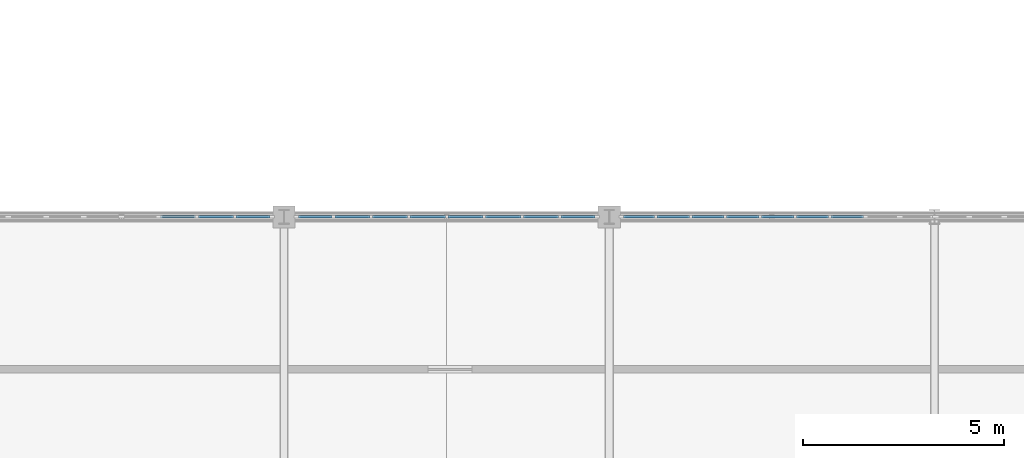
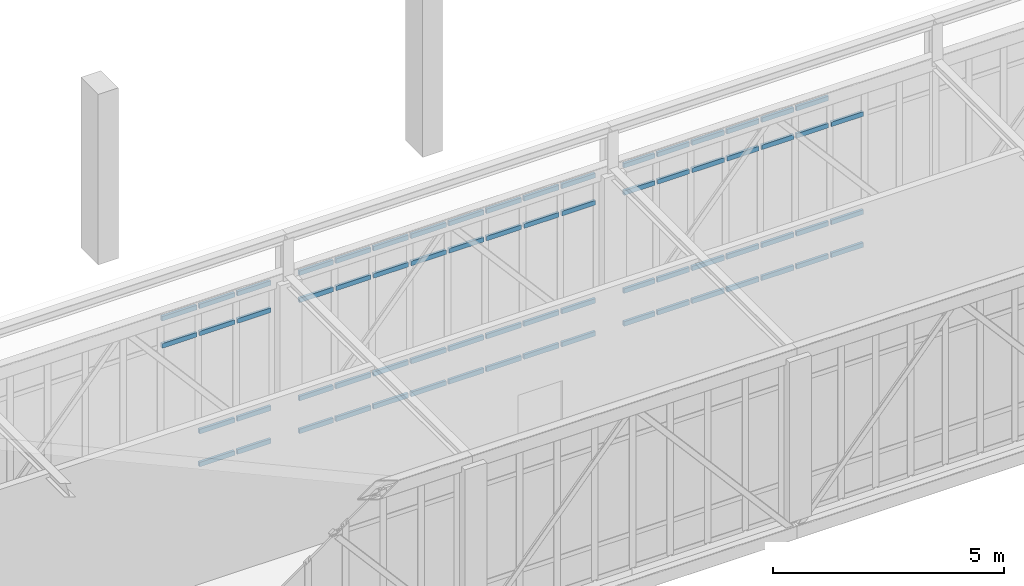
# One storey, part 29 of 67: 69 members, 3 elements without a shape of their own.
"""IFC4 building model written with IfcOpenShell, lengths in metres."""

from ifc_helpers import new_model, si_unit, direction, frame, origin, origin_2d, place, context, subcontext, project, spatial, rectangle, extrude, material, material_profile, profile_set, type_object, element, aggregate, save


model = new_model("IFC4")

# Units and contexts
model_context = context("Model", 3, precision=1e-05, world=origin(), true_north=direction((0.0, 1.0)))
body_context = subcontext(model_context, "Body", "Model", "MODEL_VIEW")
ifc_project = project(units=[si_unit("LENGTHUNIT", "METRE"), si_unit("AREAUNIT", "SQUARE_METRE"), si_unit("VOLUMEUNIT", "CUBIC_METRE"), si_unit("PLANEANGLEUNIT", "RADIAN"), si_unit("MASSUNIT", "GRAM", prefix="KILO")], contexts=[model_context])

# Site, building, storey
site_placement = place(None, origin())
site = spatial("IfcSite", under=ifc_project, at=site_placement, CompositionType="ELEMENT")
building_placement = place(site_placement, origin())
building = spatial("IfcBuilding", under=site, at=building_placement, Name="Tarnveldt Square Police Headquarters", CompositionType="ELEMENT")
storey_placement = place(building_placement, frame((0.0, 0.0, 10.199951171875)))
storey = spatial("IfcBuildingStorey", under=building, at=storey_placement, Name="L02", CompositionType="ELEMENT", Elevation=10.199951171875)

# Curtain wall, members
ifc_material_1 = material(Name="Triple-glazed low-e laminated vision glass", Category="glass")
curtain_wall_type_1 = type_object("IfcCurtainWallType", Name="CW-SB-752x424", PredefinedType="USERDEFINED", material=ifc_material_1)
curtain_wall_1_placement = place(storey_placement, origin())
curtain_wall_1 = element("IfcCurtainWall", 1, at=curtain_wall_1_placement, inside=storey, type_object=curtain_wall_type_1, Name="L02 Curtain Wall CW-L02-147", ObjectType="GLAZED CURTAIN WALL", PredefinedType="USERDEFINED")
ifc_material_2 = material(Name="Thermally broken anodised aluminium 6063-T6", Category="aluminium")
ifc_material_profile = material_profile(ifc_material_2, rectangle(XDim=0.06494140625, YDim=0.1201171875, at=origin_2d()), Name="CW-T65x120")
ifc_profile_set = profile_set([ifc_material_profile], Name="Thermally broken anodised aluminium 6063-T6")
member_type = type_object("IfcMemberType", Name="CWT-65x120", PredefinedType="USERDEFINED", material=ifc_profile_set)
member_1_placement = place(storey_placement, frame((69.822509765625, 64.0, 3.489990234375), z_axis=(1.0, 0.0, 0.0), x_axis=(0.0, 1.0, 0.0)))
member_1 = element("IfcMember", 2, at=member_1_placement, type_object=member_type, Name="CW-SB86 transom 6.3", ObjectType="TRANSOM", PredefinedType="USERDEFINED", context=body_context, shape_type="SweptSolid", body=[
    extrude(rectangle(XDim=0.06494140625, YDim=0.1201171875, at=origin_2d()), origin(), (0.0, 0.0, 1.0), 0.875),
])
member_2_placement = place(storey_placement, frame((69.822509765625, 64.0, 4.20751953125), z_axis=(1.0, 0.0, 0.0), x_axis=(0.0, 1.0, 0.0)))
member_2 = element("IfcMember", 3, at=member_2_placement, type_object=member_type, Name="CW-SB86 transom 6.4", ObjectType="TRANSOM", PredefinedType="USERDEFINED", context=body_context, shape_type="SweptSolid", body=[
    extrude(rectangle(XDim=0.06494140625, YDim=0.1201171875, at=origin_2d()), origin(), (0.0, 0.0, 1.0), 0.875),
])
member_3_placement = place(storey_placement, frame((70.762451171875, 64.0, 0.032470703125), z_axis=(1.0, 0.0, 0.0), x_axis=(0.0, 1.0, 0.0)))
member_3 = element("IfcMember", 4, at=member_3_placement, type_object=member_type, Name="CW-SB86 transom 7.1", ObjectType="TRANSOM", PredefinedType="USERDEFINED", context=body_context, shape_type="SweptSolid", body=[
    extrude(rectangle(XDim=0.06494140625, YDim=0.1201171875, at=origin_2d()), origin(), (0.0, 0.0, 1.0), 0.875),
])
member_4_placement = place(storey_placement, frame((70.762451171875, 64.0, 0.900146484375), z_axis=(1.0, 0.0, 0.0), x_axis=(0.0, 1.0, 0.0)))
member_4 = element("IfcMember", 5, at=member_4_placement, type_object=member_type, Name="CW-SB86 transom 7.2", ObjectType="TRANSOM", PredefinedType="USERDEFINED", context=body_context, shape_type="SweptSolid", body=[
    extrude(rectangle(XDim=0.06494140625, YDim=0.1201171875, at=origin_2d()), origin(), (0.0, 0.0, 1.0), 0.875),
])
member_5_placement = place(storey_placement, frame((70.762451171875, 64.0, 3.489990234375), z_axis=(1.0, 0.0, 0.0), x_axis=(0.0, 1.0, 0.0)))
member_5 = element("IfcMember", 6, at=member_5_placement, type_object=member_type, Name="CW-SB86 transom 7.3", ObjectType="TRANSOM", PredefinedType="USERDEFINED", context=body_context, shape_type="SweptSolid", body=[
    extrude(rectangle(XDim=0.06494140625, YDim=0.1201171875, at=origin_2d()), origin(), (0.0, 0.0, 1.0), 0.875),
])
member_6_placement = place(storey_placement, frame((70.762451171875, 64.0, 4.20751953125), z_axis=(1.0, 0.0, 0.0), x_axis=(0.0, 1.0, 0.0)))
member_6 = element("IfcMember", 7, at=member_6_placement, type_object=member_type, Name="CW-SB86 transom 7.4", ObjectType="TRANSOM", PredefinedType="USERDEFINED", context=body_context, shape_type="SweptSolid", body=[
    extrude(rectangle(XDim=0.06494140625, YDim=0.1201171875, at=origin_2d()), origin(), (0.0, 0.0, 1.0), 0.875),
])
member_7_placement = place(storey_placement, frame((71.702392578125, 64.0, 0.032470703125), z_axis=(1.0, 0.0, 0.0), x_axis=(0.0, 1.0, 0.0)))
member_7 = element("IfcMember", 8, at=member_7_placement, type_object=member_type, Name="CW-SB86 transom 8.1", ObjectType="TRANSOM", PredefinedType="USERDEFINED", context=body_context, shape_type="SweptSolid", body=[
    extrude(rectangle(XDim=0.06494140625, YDim=0.1201171875, at=origin_2d()), origin(), (0.0, 0.0, 1.0), 0.842529296875),
])
member_8_placement = place(storey_placement, frame((71.702392578125, 64.0, 0.900146484375), z_axis=(1.0, 0.0, 0.0), x_axis=(0.0, 1.0, 0.0)))
member_8 = element("IfcMember", 9, at=member_8_placement, type_object=member_type, Name="CW-SB86 transom 8.2", ObjectType="TRANSOM", PredefinedType="USERDEFINED", context=body_context, shape_type="SweptSolid", body=[
    extrude(rectangle(XDim=0.06494140625, YDim=0.1201171875, at=origin_2d()), origin(), (0.0, 0.0, 1.0), 0.842529296875),
])
member_9_placement = place(storey_placement, frame((71.702392578125, 64.0, 3.489990234375), z_axis=(1.0, 0.0, 0.0), x_axis=(0.0, 1.0, 0.0)))
member_9 = element("IfcMember", 10, at=member_9_placement, type_object=member_type, Name="CW-SB86 transom 8.3", ObjectType="TRANSOM", PredefinedType="USERDEFINED", context=body_context, shape_type="SweptSolid", body=[
    extrude(rectangle(XDim=0.06494140625, YDim=0.1201171875, at=origin_2d()), origin(), (0.0, 0.0, 1.0), 0.842529296875),
])
member_10_placement = place(storey_placement, frame((71.702392578125, 64.0, 4.20751953125), z_axis=(1.0, 0.0, 0.0), x_axis=(0.0, 1.0, 0.0)))
member_10 = element("IfcMember", 11, at=member_10_placement, type_object=member_type, Name="CW-SB86 transom 8.4", ObjectType="TRANSOM", PredefinedType="USERDEFINED", context=body_context, shape_type="SweptSolid", body=[
    extrude(rectangle(XDim=0.06494140625, YDim=0.1201171875, at=origin_2d()), origin(), (0.0, 0.0, 1.0), 0.842529296875),
])
aggregate(curtain_wall_1, [member_1, member_2, member_3, member_4, member_5, member_6, member_7, member_8, member_9, member_10])

curtain_wall_2_placement = place(storey_placement, origin())
curtain_wall_2 = element("IfcCurtainWall", 12, at=curtain_wall_2_placement, inside=storey, type_object=curtain_wall_type_1, Name="L02 Curtain Wall CW-L02-148", ObjectType="GLAZED CURTAIN WALL", PredefinedType="USERDEFINED")
member_11_placement = place(storey_placement, frame((73.2548828125, 64.0, 0.032470703125), z_axis=(1.0, 0.0, 0.0), x_axis=(0.0, 1.0, 0.0)))
member_11 = element("IfcMember", 13, at=member_11_placement, type_object=member_type, Name="CW-SB86 transom 1.1", ObjectType="TRANSOM", PredefinedType="USERDEFINED", context=body_context, shape_type="SweptSolid", body=[
    extrude(rectangle(XDim=0.06494140625, YDim=0.1201171875, at=origin_2d()), origin(), (0.0, 0.0, 1.0), 0.842529296875),
])
member_12_placement = place(storey_placement, frame((73.2548828125, 64.0, 0.900146484375), z_axis=(1.0, 0.0, 0.0), x_axis=(0.0, 1.0, 0.0)))
member_12 = element("IfcMember", 14, at=member_12_placement, type_object=member_type, Name="CW-SB86 transom 1.2", ObjectType="TRANSOM", PredefinedType="USERDEFINED", context=body_context, shape_type="SweptSolid", body=[
    extrude(rectangle(XDim=0.06494140625, YDim=0.1201171875, at=origin_2d()), origin(), (0.0, 0.0, 1.0), 0.842529296875),
])
member_13_placement = place(storey_placement, frame((73.2548828125, 64.0, 3.489990234375), z_axis=(1.0, 0.0, 0.0), x_axis=(0.0, 1.0, 0.0)))
member_13 = element("IfcMember", 15, at=member_13_placement, type_object=member_type, Name="CW-SB86 transom 1.3", ObjectType="TRANSOM", PredefinedType="USERDEFINED", context=body_context, shape_type="SweptSolid", body=[
    extrude(rectangle(XDim=0.06494140625, YDim=0.1201171875, at=origin_2d()), origin(), (0.0, 0.0, 1.0), 0.842529296875),
])
member_14_placement = place(storey_placement, frame((73.2548828125, 64.0, 4.20751953125), z_axis=(1.0, 0.0, 0.0), x_axis=(0.0, 1.0, 0.0)))
member_14 = element("IfcMember", 16, at=member_14_placement, type_object=member_type, Name="CW-SB86 transom 1.4", ObjectType="TRANSOM", PredefinedType="USERDEFINED", context=body_context, shape_type="SweptSolid", body=[
    extrude(rectangle(XDim=0.06494140625, YDim=0.1201171875, at=origin_2d()), origin(), (0.0, 0.0, 1.0), 0.842529296875),
])
member_15_placement = place(storey_placement, frame((74.16259765625, 64.0, 0.032470703125), z_axis=(1.0, 0.0, 0.0), x_axis=(0.0, 1.0, 0.0)))
member_15 = element("IfcMember", 17, at=member_15_placement, type_object=member_type, Name="CW-SB86 transom 2.1", ObjectType="TRANSOM", PredefinedType="USERDEFINED", context=body_context, shape_type="SweptSolid", body=[
    extrude(rectangle(XDim=0.06494140625, YDim=0.1201171875, at=origin_2d()), origin(), (0.0, 0.0, 1.0), 0.875),
])
member_16_placement = place(storey_placement, frame((74.16259765625, 64.0, 0.900146484375), z_axis=(1.0, 0.0, 0.0), x_axis=(0.0, 1.0, 0.0)))
member_16 = element("IfcMember", 18, at=member_16_placement, type_object=member_type, Name="CW-SB86 transom 2.2", ObjectType="TRANSOM", PredefinedType="USERDEFINED", context=body_context, shape_type="SweptSolid", body=[
    extrude(rectangle(XDim=0.06494140625, YDim=0.1201171875, at=origin_2d()), origin(), (0.0, 0.0, 1.0), 0.875),
])
member_17_placement = place(storey_placement, frame((74.16259765625, 64.0, 3.489990234375), z_axis=(1.0, 0.0, 0.0), x_axis=(0.0, 1.0, 0.0)))
member_17 = element("IfcMember", 19, at=member_17_placement, type_object=member_type, Name="CW-SB86 transom 2.3", ObjectType="TRANSOM", PredefinedType="USERDEFINED", context=body_context, shape_type="SweptSolid", body=[
    extrude(rectangle(XDim=0.06494140625, YDim=0.1201171875, at=origin_2d()), origin(), (0.0, 0.0, 1.0), 0.875),
])
member_18_placement = place(storey_placement, frame((74.16259765625, 64.0, 4.20751953125), z_axis=(1.0, 0.0, 0.0), x_axis=(0.0, 1.0, 0.0)))
member_18 = element("IfcMember", 20, at=member_18_placement, type_object=member_type, Name="CW-SB86 transom 2.4", ObjectType="TRANSOM", PredefinedType="USERDEFINED", context=body_context, shape_type="SweptSolid", body=[
    extrude(rectangle(XDim=0.06494140625, YDim=0.1201171875, at=origin_2d()), origin(), (0.0, 0.0, 1.0), 0.875),
])
member_19_placement = place(storey_placement, frame((75.1025390625, 64.0, 0.032470703125), z_axis=(1.0, 0.0, 0.0), x_axis=(0.0, 1.0, 0.0)))
member_19 = element("IfcMember", 21, at=member_19_placement, type_object=member_type, Name="CW-SB86 transom 3.1", ObjectType="TRANSOM", PredefinedType="USERDEFINED", context=body_context, shape_type="SweptSolid", body=[
    extrude(rectangle(XDim=0.06494140625, YDim=0.1201171875, at=origin_2d()), origin(), (0.0, 0.0, 1.0), 0.875),
])
member_20_placement = place(storey_placement, frame((75.1025390625, 64.0, 0.900146484375), z_axis=(1.0, 0.0, 0.0), x_axis=(0.0, 1.0, 0.0)))
member_20 = element("IfcMember", 22, at=member_20_placement, type_object=member_type, Name="CW-SB86 transom 3.2", ObjectType="TRANSOM", PredefinedType="USERDEFINED", context=body_context, shape_type="SweptSolid", body=[
    extrude(rectangle(XDim=0.06494140625, YDim=0.1201171875, at=origin_2d()), origin(), (0.0, 0.0, 1.0), 0.875),
])
member_21_placement = place(storey_placement, frame((75.1025390625, 64.0, 3.489990234375), z_axis=(1.0, 0.0, 0.0), x_axis=(0.0, 1.0, 0.0)))
member_21 = element("IfcMember", 23, at=member_21_placement, type_object=member_type, Name="CW-SB86 transom 3.3", ObjectType="TRANSOM", PredefinedType="USERDEFINED", context=body_context, shape_type="SweptSolid", body=[
    extrude(rectangle(XDim=0.06494140625, YDim=0.1201171875, at=origin_2d()), origin(), (0.0, 0.0, 1.0), 0.875),
])
member_22_placement = place(storey_placement, frame((75.1025390625, 64.0, 4.20751953125), z_axis=(1.0, 0.0, 0.0), x_axis=(0.0, 1.0, 0.0)))
member_22 = element("IfcMember", 24, at=member_22_placement, type_object=member_type, Name="CW-SB86 transom 3.4", ObjectType="TRANSOM", PredefinedType="USERDEFINED", context=body_context, shape_type="SweptSolid", body=[
    extrude(rectangle(XDim=0.06494140625, YDim=0.1201171875, at=origin_2d()), origin(), (0.0, 0.0, 1.0), 0.875),
])
member_23_placement = place(storey_placement, frame((76.04248046875, 64.0, 0.032470703125), z_axis=(1.0, 0.0, 0.0), x_axis=(0.0, 1.0, 0.0)))
member_23 = element("IfcMember", 25, at=member_23_placement, type_object=member_type, Name="CW-SB86 transom 4.1", ObjectType="TRANSOM", PredefinedType="USERDEFINED", context=body_context, shape_type="SweptSolid", body=[
    extrude(rectangle(XDim=0.06494140625, YDim=0.1201171875, at=origin_2d()), origin(), (0.0, 0.0, 1.0), 0.875),
])
member_24_placement = place(storey_placement, frame((76.04248046875, 64.0, 0.900146484375), z_axis=(1.0, 0.0, 0.0), x_axis=(0.0, 1.0, 0.0)))
member_24 = element("IfcMember", 26, at=member_24_placement, type_object=member_type, Name="CW-SB86 transom 4.2", ObjectType="TRANSOM", PredefinedType="USERDEFINED", context=body_context, shape_type="SweptSolid", body=[
    extrude(rectangle(XDim=0.06494140625, YDim=0.1201171875, at=origin_2d()), origin(), (0.0, 0.0, 1.0), 0.875),
])
member_25_placement = place(storey_placement, frame((76.04248046875, 64.0, 3.489990234375), z_axis=(1.0, 0.0, 0.0), x_axis=(0.0, 1.0, 0.0)))
member_25 = element("IfcMember", 27, at=member_25_placement, type_object=member_type, Name="CW-SB86 transom 4.3", ObjectType="TRANSOM", PredefinedType="USERDEFINED", context=body_context, shape_type="SweptSolid", body=[
    extrude(rectangle(XDim=0.06494140625, YDim=0.1201171875, at=origin_2d()), origin(), (0.0, 0.0, 1.0), 0.875),
])
member_26_placement = place(storey_placement, frame((76.04248046875, 64.0, 4.20751953125), z_axis=(1.0, 0.0, 0.0), x_axis=(0.0, 1.0, 0.0)))
member_26 = element("IfcMember", 28, at=member_26_placement, type_object=member_type, Name="CW-SB86 transom 4.4", ObjectType="TRANSOM", PredefinedType="USERDEFINED", context=body_context, shape_type="SweptSolid", body=[
    extrude(rectangle(XDim=0.06494140625, YDim=0.1201171875, at=origin_2d()), origin(), (0.0, 0.0, 1.0), 0.875),
])
member_27_placement = place(storey_placement, frame((76.982421875, 64.0, 0.032470703125), z_axis=(1.0, 0.0, 0.0), x_axis=(0.0, 1.0, 0.0)))
member_27 = element("IfcMember", 29, at=member_27_placement, type_object=member_type, Name="CW-SB86 transom 5.1", ObjectType="TRANSOM", PredefinedType="USERDEFINED", context=body_context, shape_type="SweptSolid", body=[
    extrude(rectangle(XDim=0.06494140625, YDim=0.1201171875, at=origin_2d()), origin(), (0.0, 0.0, 1.0), 0.875),
])
member_28_placement = place(storey_placement, frame((76.982421875, 64.0, 0.900146484375), z_axis=(1.0, 0.0, 0.0), x_axis=(0.0, 1.0, 0.0)))
member_28 = element("IfcMember", 30, at=member_28_placement, type_object=member_type, Name="CW-SB86 transom 5.2", ObjectType="TRANSOM", PredefinedType="USERDEFINED", context=body_context, shape_type="SweptSolid", body=[
    extrude(rectangle(XDim=0.06494140625, YDim=0.1201171875, at=origin_2d()), origin(), (0.0, 0.0, 1.0), 0.875),
])
member_29_placement = place(storey_placement, frame((76.982421875, 64.0, 3.489990234375), z_axis=(1.0, 0.0, 0.0), x_axis=(0.0, 1.0, 0.0)))
member_29 = element("IfcMember", 31, at=member_29_placement, type_object=member_type, Name="CW-SB86 transom 5.3", ObjectType="TRANSOM", PredefinedType="USERDEFINED", context=body_context, shape_type="SweptSolid", body=[
    extrude(rectangle(XDim=0.06494140625, YDim=0.1201171875, at=origin_2d()), origin(), (0.0, 0.0, 1.0), 0.875),
])
member_30_placement = place(storey_placement, frame((76.982421875, 64.0, 4.20751953125), z_axis=(1.0, 0.0, 0.0), x_axis=(0.0, 1.0, 0.0)))
member_30 = element("IfcMember", 32, at=member_30_placement, type_object=member_type, Name="CW-SB86 transom 5.4", ObjectType="TRANSOM", PredefinedType="USERDEFINED", context=body_context, shape_type="SweptSolid", body=[
    extrude(rectangle(XDim=0.06494140625, YDim=0.1201171875, at=origin_2d()), origin(), (0.0, 0.0, 1.0), 0.875),
])
member_31_placement = place(storey_placement, frame((77.922607421875, 64.0, 0.032470703125), z_axis=(1.0, 0.0, 0.0), x_axis=(0.0, 1.0, 0.0)))
member_31 = element("IfcMember", 33, at=member_31_placement, type_object=member_type, Name="CW-SB86 transom 6.1", ObjectType="TRANSOM", PredefinedType="USERDEFINED", context=body_context, shape_type="SweptSolid", body=[
    extrude(rectangle(XDim=0.06494140625, YDim=0.1201171875, at=origin_2d()), origin(), (0.0, 0.0, 1.0), 0.875),
])
member_32_placement = place(storey_placement, frame((77.922607421875, 64.0, 0.900146484375), z_axis=(1.0, 0.0, 0.0), x_axis=(0.0, 1.0, 0.0)))
member_32 = element("IfcMember", 34, at=member_32_placement, type_object=member_type, Name="CW-SB86 transom 6.2", ObjectType="TRANSOM", PredefinedType="USERDEFINED", context=body_context, shape_type="SweptSolid", body=[
    extrude(rectangle(XDim=0.06494140625, YDim=0.1201171875, at=origin_2d()), origin(), (0.0, 0.0, 1.0), 0.875),
])
member_33_placement = place(storey_placement, frame((77.922607421875, 64.0, 3.489990234375), z_axis=(1.0, 0.0, 0.0), x_axis=(0.0, 1.0, 0.0)))
member_33 = element("IfcMember", 35, at=member_33_placement, type_object=member_type, Name="CW-SB86 transom 6.3", ObjectType="TRANSOM", PredefinedType="USERDEFINED", context=body_context, shape_type="SweptSolid", body=[
    extrude(rectangle(XDim=0.06494140625, YDim=0.1201171875, at=origin_2d()), origin(), (0.0, 0.0, 1.0), 0.875),
])
member_34_placement = place(storey_placement, frame((77.922607421875, 64.0, 4.20751953125), z_axis=(1.0, 0.0, 0.0), x_axis=(0.0, 1.0, 0.0)))
member_34 = element("IfcMember", 36, at=member_34_placement, type_object=member_type, Name="CW-SB86 transom 6.4", ObjectType="TRANSOM", PredefinedType="USERDEFINED", context=body_context, shape_type="SweptSolid", body=[
    extrude(rectangle(XDim=0.06494140625, YDim=0.1201171875, at=origin_2d()), origin(), (0.0, 0.0, 1.0), 0.875),
])
member_35_placement = place(storey_placement, frame((78.862548828125, 64.0, 0.032470703125), z_axis=(1.0, 0.0, 0.0), x_axis=(0.0, 1.0, 0.0)))
member_35 = element("IfcMember", 37, at=member_35_placement, type_object=member_type, Name="CW-SB86 transom 7.1", ObjectType="TRANSOM", PredefinedType="USERDEFINED", context=body_context, shape_type="SweptSolid", body=[
    extrude(rectangle(XDim=0.06494140625, YDim=0.1201171875, at=origin_2d()), origin(), (0.0, 0.0, 1.0), 0.875),
])
member_36_placement = place(storey_placement, frame((78.862548828125, 64.0, 0.900146484375), z_axis=(1.0, 0.0, 0.0), x_axis=(0.0, 1.0, 0.0)))
member_36 = element("IfcMember", 38, at=member_36_placement, type_object=member_type, Name="CW-SB86 transom 7.2", ObjectType="TRANSOM", PredefinedType="USERDEFINED", context=body_context, shape_type="SweptSolid", body=[
    extrude(rectangle(XDim=0.06494140625, YDim=0.1201171875, at=origin_2d()), origin(), (0.0, 0.0, 1.0), 0.875),
])
member_37_placement = place(storey_placement, frame((78.862548828125, 64.0, 3.489990234375), z_axis=(1.0, 0.0, 0.0), x_axis=(0.0, 1.0, 0.0)))
member_37 = element("IfcMember", 39, at=member_37_placement, type_object=member_type, Name="CW-SB86 transom 7.3", ObjectType="TRANSOM", PredefinedType="USERDEFINED", context=body_context, shape_type="SweptSolid", body=[
    extrude(rectangle(XDim=0.06494140625, YDim=0.1201171875, at=origin_2d()), origin(), (0.0, 0.0, 1.0), 0.875),
])
member_38_placement = place(storey_placement, frame((78.862548828125, 64.0, 4.20751953125), z_axis=(1.0, 0.0, 0.0), x_axis=(0.0, 1.0, 0.0)))
member_38 = element("IfcMember", 40, at=member_38_placement, type_object=member_type, Name="CW-SB86 transom 7.4", ObjectType="TRANSOM", PredefinedType="USERDEFINED", context=body_context, shape_type="SweptSolid", body=[
    extrude(rectangle(XDim=0.06494140625, YDim=0.1201171875, at=origin_2d()), origin(), (0.0, 0.0, 1.0), 0.875),
])
member_39_placement = place(storey_placement, frame((79.802490234375, 64.0, 0.032470703125), z_axis=(1.0, 0.0, 0.0), x_axis=(0.0, 1.0, 0.0)))
member_39 = element("IfcMember", 41, at=member_39_placement, type_object=member_type, Name="CW-SB86 transom 8.1", ObjectType="TRANSOM", PredefinedType="USERDEFINED", context=body_context, shape_type="SweptSolid", body=[
    extrude(rectangle(XDim=0.06494140625, YDim=0.1201171875, at=origin_2d()), origin(), (0.0, 0.0, 1.0), 0.842529296875),
])
member_40_placement = place(storey_placement, frame((79.802490234375, 64.0, 0.900146484375), z_axis=(1.0, 0.0, 0.0), x_axis=(0.0, 1.0, 0.0)))
member_40 = element("IfcMember", 42, at=member_40_placement, type_object=member_type, Name="CW-SB86 transom 8.2", ObjectType="TRANSOM", PredefinedType="USERDEFINED", context=body_context, shape_type="SweptSolid", body=[
    extrude(rectangle(XDim=0.06494140625, YDim=0.1201171875, at=origin_2d()), origin(), (0.0, 0.0, 1.0), 0.842529296875),
])
member_41_placement = place(storey_placement, frame((79.802490234375, 64.0, 3.489990234375), z_axis=(1.0, 0.0, 0.0), x_axis=(0.0, 1.0, 0.0)))
member_41 = element("IfcMember", 43, at=member_41_placement, type_object=member_type, Name="CW-SB86 transom 8.3", ObjectType="TRANSOM", PredefinedType="USERDEFINED", context=body_context, shape_type="SweptSolid", body=[
    extrude(rectangle(XDim=0.06494140625, YDim=0.1201171875, at=origin_2d()), origin(), (0.0, 0.0, 1.0), 0.842529296875),
])
member_42_placement = place(storey_placement, frame((79.802490234375, 64.0, 4.20751953125), z_axis=(1.0, 0.0, 0.0), x_axis=(0.0, 1.0, 0.0)))
member_42 = element("IfcMember", 44, at=member_42_placement, type_object=member_type, Name="CW-SB86 transom 8.4", ObjectType="TRANSOM", PredefinedType="USERDEFINED", context=body_context, shape_type="SweptSolid", body=[
    extrude(rectangle(XDim=0.06494140625, YDim=0.1201171875, at=origin_2d()), origin(), (0.0, 0.0, 1.0), 0.842529296875),
])
aggregate(curtain_wall_2, [member_11, member_12, member_13, member_14, member_15, member_16, member_17, member_18, member_19, member_20, member_21, member_22, member_23, member_24, member_25, member_26, member_27, member_28, member_29, member_30, member_31, member_32, member_33, member_34, member_35, member_36, member_37, member_38, member_39, member_40, member_41, member_42])

curtain_wall_type_2 = type_object("IfcCurtainWallType", Name="CW-SB-781x424", PredefinedType="USERDEFINED", material=ifc_material_1)
curtain_wall_3_placement = place(storey_placement, origin())
curtain_wall_3 = element("IfcCurtainWall", 45, at=curtain_wall_3_placement, inside=storey, type_object=curtain_wall_type_2, Name="L02 Curtain Wall CW-L02-149", ObjectType="GLAZED CURTAIN WALL", PredefinedType="USERDEFINED")
member_43_placement = place(storey_placement, frame((81.35498046875, 64.0, 0.032470703125), z_axis=(1.0, 0.0, 0.0), x_axis=(0.0, 1.0, 0.0)))
member_43 = element("IfcMember", 46, at=member_43_placement, type_object=member_type, Name="CW-SB87 transom 1.1", ObjectType="TRANSOM", PredefinedType="USERDEFINED", context=body_context, shape_type="SweptSolid", body=[
    extrude(rectangle(XDim=0.06494140625, YDim=0.1201171875, at=origin_2d()), origin(), (0.0, 0.0, 1.0), 0.770263671875),
])
member_44_placement = place(storey_placement, frame((81.35498046875, 64.0, 0.900146484375), z_axis=(1.0, 0.0, 0.0), x_axis=(0.0, 1.0, 0.0)))
member_44 = element("IfcMember", 47, at=member_44_placement, type_object=member_type, Name="CW-SB87 transom 1.2", ObjectType="TRANSOM", PredefinedType="USERDEFINED", context=body_context, shape_type="SweptSolid", body=[
    extrude(rectangle(XDim=0.06494140625, YDim=0.1201171875, at=origin_2d()), origin(), (0.0, 0.0, 1.0), 0.770263671875),
])
member_45_placement = place(storey_placement, frame((81.35498046875, 64.0, 3.489990234375), z_axis=(1.0, 0.0, 0.0), x_axis=(0.0, 1.0, 0.0)))
member_45 = element("IfcMember", 48, at=member_45_placement, type_object=member_type, Name="CW-SB87 transom 1.3", ObjectType="TRANSOM", PredefinedType="USERDEFINED", context=body_context, shape_type="SweptSolid", body=[
    extrude(rectangle(XDim=0.06494140625, YDim=0.1201171875, at=origin_2d()), origin(), (0.0, 0.0, 1.0), 0.770263671875),
])
member_46_placement = place(storey_placement, frame((81.35498046875, 64.0, 4.20751953125), z_axis=(1.0, 0.0, 0.0), x_axis=(0.0, 1.0, 0.0)))
member_46 = element("IfcMember", 49, at=member_46_placement, type_object=member_type, Name="CW-SB87 transom 1.4", ObjectType="TRANSOM", PredefinedType="USERDEFINED", context=body_context, shape_type="SweptSolid", body=[
    extrude(rectangle(XDim=0.06494140625, YDim=0.1201171875, at=origin_2d()), origin(), (0.0, 0.0, 1.0), 0.770263671875),
])
member_47_placement = place(storey_placement, frame((82.190185546875, 64.0, 0.032470703125), z_axis=(1.0, 0.0, 0.0), x_axis=(0.0, 1.0, 0.0)))
member_47 = element("IfcMember", 50, at=member_47_placement, type_object=member_type, Name="CW-SB87 transom 2.1", ObjectType="TRANSOM", PredefinedType="USERDEFINED", context=body_context, shape_type="SweptSolid", body=[
    extrude(rectangle(XDim=0.06494140625, YDim=0.1201171875, at=origin_2d()), origin(), (0.0, 0.0, 1.0), 0.802978515625),
])
member_48_placement = place(storey_placement, frame((82.190185546875, 64.0, 0.900146484375), z_axis=(1.0, 0.0, 0.0), x_axis=(0.0, 1.0, 0.0)))
member_48 = element("IfcMember", 51, at=member_48_placement, type_object=member_type, Name="CW-SB87 transom 2.2", ObjectType="TRANSOM", PredefinedType="USERDEFINED", context=body_context, shape_type="SweptSolid", body=[
    extrude(rectangle(XDim=0.06494140625, YDim=0.1201171875, at=origin_2d()), origin(), (0.0, 0.0, 1.0), 0.802978515625),
])
member_49_placement = place(storey_placement, frame((82.190185546875, 64.0, 3.489990234375), z_axis=(1.0, 0.0, 0.0), x_axis=(0.0, 1.0, 0.0)))
member_49 = element("IfcMember", 52, at=member_49_placement, type_object=member_type, Name="CW-SB87 transom 2.3", ObjectType="TRANSOM", PredefinedType="USERDEFINED", context=body_context, shape_type="SweptSolid", body=[
    extrude(rectangle(XDim=0.06494140625, YDim=0.1201171875, at=origin_2d()), origin(), (0.0, 0.0, 1.0), 0.802978515625),
])
member_50_placement = place(storey_placement, frame((82.190185546875, 64.0, 4.20751953125), z_axis=(1.0, 0.0, 0.0), x_axis=(0.0, 1.0, 0.0)))
member_50 = element("IfcMember", 53, at=member_50_placement, type_object=member_type, Name="CW-SB87 transom 2.4", ObjectType="TRANSOM", PredefinedType="USERDEFINED", context=body_context, shape_type="SweptSolid", body=[
    extrude(rectangle(XDim=0.06494140625, YDim=0.1201171875, at=origin_2d()), origin(), (0.0, 0.0, 1.0), 0.802978515625),
])
member_51_placement = place(storey_placement, frame((83.05810546875, 64.0, 0.032470703125), z_axis=(1.0, 0.0, 0.0), x_axis=(0.0, 1.0, 0.0)))
member_51 = element("IfcMember", 54, at=member_51_placement, type_object=member_type, Name="CW-SB87 transom 3.1", ObjectType="TRANSOM", PredefinedType="USERDEFINED", context=body_context, shape_type="SweptSolid", body=[
    extrude(rectangle(XDim=0.06494140625, YDim=0.1201171875, at=origin_2d()), origin(), (0.0, 0.0, 1.0), 0.802734375),
])
member_52_placement = place(storey_placement, frame((83.05810546875, 64.0, 0.900146484375), z_axis=(1.0, 0.0, 0.0), x_axis=(0.0, 1.0, 0.0)))
member_52 = element("IfcMember", 55, at=member_52_placement, type_object=member_type, Name="CW-SB87 transom 3.2", ObjectType="TRANSOM", PredefinedType="USERDEFINED", context=body_context, shape_type="SweptSolid", body=[
    extrude(rectangle(XDim=0.06494140625, YDim=0.1201171875, at=origin_2d()), origin(), (0.0, 0.0, 1.0), 0.802734375),
])
member_53_placement = place(storey_placement, frame((83.05810546875, 64.0, 3.489990234375), z_axis=(1.0, 0.0, 0.0), x_axis=(0.0, 1.0, 0.0)))
member_53 = element("IfcMember", 56, at=member_53_placement, type_object=member_type, Name="CW-SB87 transom 3.3", ObjectType="TRANSOM", PredefinedType="USERDEFINED", context=body_context, shape_type="SweptSolid", body=[
    extrude(rectangle(XDim=0.06494140625, YDim=0.1201171875, at=origin_2d()), origin(), (0.0, 0.0, 1.0), 0.802734375),
])
member_54_placement = place(storey_placement, frame((83.05810546875, 64.0, 4.20751953125), z_axis=(1.0, 0.0, 0.0), x_axis=(0.0, 1.0, 0.0)))
member_54 = element("IfcMember", 57, at=member_54_placement, type_object=member_type, Name="CW-SB87 transom 3.4", ObjectType="TRANSOM", PredefinedType="USERDEFINED", context=body_context, shape_type="SweptSolid", body=[
    extrude(rectangle(XDim=0.06494140625, YDim=0.1201171875, at=origin_2d()), origin(), (0.0, 0.0, 1.0), 0.802734375),
])
member_55_placement = place(storey_placement, frame((83.92578125, 64.0, 0.032470703125), z_axis=(1.0, 0.0, 0.0), x_axis=(0.0, 1.0, 0.0)))
member_55 = element("IfcMember", 58, at=member_55_placement, type_object=member_type, Name="CW-SB87 transom 4.1", ObjectType="TRANSOM", PredefinedType="USERDEFINED", context=body_context, shape_type="SweptSolid", body=[
    extrude(rectangle(XDim=0.06494140625, YDim=0.1201171875, at=origin_2d()), origin(), (0.0, 0.0, 1.0), 0.802734375),
])
member_56_placement = place(storey_placement, frame((83.92578125, 64.0, 0.900146484375), z_axis=(1.0, 0.0, 0.0), x_axis=(0.0, 1.0, 0.0)))
member_56 = element("IfcMember", 59, at=member_56_placement, type_object=member_type, Name="CW-SB87 transom 4.2", ObjectType="TRANSOM", PredefinedType="USERDEFINED", context=body_context, shape_type="SweptSolid", body=[
    extrude(rectangle(XDim=0.06494140625, YDim=0.1201171875, at=origin_2d()), origin(), (0.0, 0.0, 1.0), 0.802734375),
])
member_57_placement = place(storey_placement, frame((83.92578125, 64.0, 3.489990234375), z_axis=(1.0, 0.0, 0.0), x_axis=(0.0, 1.0, 0.0)))
member_57 = element("IfcMember", 60, at=member_57_placement, type_object=member_type, Name="CW-SB87 transom 4.3", ObjectType="TRANSOM", PredefinedType="USERDEFINED", context=body_context, shape_type="SweptSolid", body=[
    extrude(rectangle(XDim=0.06494140625, YDim=0.1201171875, at=origin_2d()), origin(), (0.0, 0.0, 1.0), 0.802734375),
])
member_58_placement = place(storey_placement, frame((83.92578125, 64.0, 4.20751953125), z_axis=(1.0, 0.0, 0.0), x_axis=(0.0, 1.0, 0.0)))
member_58 = element("IfcMember", 61, at=member_58_placement, type_object=member_type, Name="CW-SB87 transom 4.4", ObjectType="TRANSOM", PredefinedType="USERDEFINED", context=body_context, shape_type="SweptSolid", body=[
    extrude(rectangle(XDim=0.06494140625, YDim=0.1201171875, at=origin_2d()), origin(), (0.0, 0.0, 1.0), 0.802734375),
])
member_59_placement = place(storey_placement, frame((84.793701171875, 64.0, 0.032470703125), z_axis=(1.0, 0.0, 0.0), x_axis=(0.0, 1.0, 0.0)))
member_59 = element("IfcMember", 62, at=member_59_placement, type_object=member_type, Name="CW-SB87 transom 5.1", ObjectType="TRANSOM", PredefinedType="USERDEFINED", context=body_context, shape_type="SweptSolid", body=[
    extrude(rectangle(XDim=0.06494140625, YDim=0.1201171875, at=origin_2d()), origin(), (0.0, 0.0, 1.0), 0.802734375),
])
member_60_placement = place(storey_placement, frame((84.793701171875, 64.0, 0.900146484375), z_axis=(1.0, 0.0, 0.0), x_axis=(0.0, 1.0, 0.0)))
member_60 = element("IfcMember", 63, at=member_60_placement, type_object=member_type, Name="CW-SB87 transom 5.2", ObjectType="TRANSOM", PredefinedType="USERDEFINED", context=body_context, shape_type="SweptSolid", body=[
    extrude(rectangle(XDim=0.06494140625, YDim=0.1201171875, at=origin_2d()), origin(), (0.0, 0.0, 1.0), 0.802734375),
])
member_61_placement = place(storey_placement, frame((84.793701171875, 64.0, 3.489990234375), z_axis=(1.0, 0.0, 0.0), x_axis=(0.0, 1.0, 0.0)))
member_61 = element("IfcMember", 64, at=member_61_placement, type_object=member_type, Name="CW-SB87 transom 5.3", ObjectType="TRANSOM", PredefinedType="USERDEFINED", context=body_context, shape_type="SweptSolid", body=[
    extrude(rectangle(XDim=0.06494140625, YDim=0.1201171875, at=origin_2d()), origin(), (0.0, 0.0, 1.0), 0.802734375),
])
member_62_placement = place(storey_placement, frame((84.793701171875, 64.0, 4.20751953125), z_axis=(1.0, 0.0, 0.0), x_axis=(0.0, 1.0, 0.0)))
member_62 = element("IfcMember", 65, at=member_62_placement, type_object=member_type, Name="CW-SB87 transom 5.4", ObjectType="TRANSOM", PredefinedType="USERDEFINED", context=body_context, shape_type="SweptSolid", body=[
    extrude(rectangle(XDim=0.06494140625, YDim=0.1201171875, at=origin_2d()), origin(), (0.0, 0.0, 1.0), 0.802734375),
])
member_63_placement = place(storey_placement, frame((85.661376953125, 64.0, 0.032470703125), z_axis=(1.0, 0.0, 0.0), x_axis=(0.0, 1.0, 0.0)))
member_63 = element("IfcMember", 66, at=member_63_placement, type_object=member_type, Name="CW-SB87 transom 6.1", ObjectType="TRANSOM", PredefinedType="USERDEFINED", context=body_context, shape_type="SweptSolid", body=[
    extrude(rectangle(XDim=0.06494140625, YDim=0.1201171875, at=origin_2d()), origin(), (0.0, 0.0, 1.0), 0.802734375),
])
member_64_placement = place(storey_placement, frame((85.661376953125, 64.0, 0.900146484375), z_axis=(1.0, 0.0, 0.0), x_axis=(0.0, 1.0, 0.0)))
member_64 = element("IfcMember", 67, at=member_64_placement, type_object=member_type, Name="CW-SB87 transom 6.2", ObjectType="TRANSOM", PredefinedType="USERDEFINED", context=body_context, shape_type="SweptSolid", body=[
    extrude(rectangle(XDim=0.06494140625, YDim=0.1201171875, at=origin_2d()), origin(), (0.0, 0.0, 1.0), 0.802734375),
])
member_65_placement = place(storey_placement, frame((85.661376953125, 64.0, 3.489990234375), z_axis=(1.0, 0.0, 0.0), x_axis=(0.0, 1.0, 0.0)))
member_65 = element("IfcMember", 68, at=member_65_placement, type_object=member_type, Name="CW-SB87 transom 6.3", ObjectType="TRANSOM", PredefinedType="USERDEFINED", context=body_context, shape_type="SweptSolid", body=[
    extrude(rectangle(XDim=0.06494140625, YDim=0.1201171875, at=origin_2d()), origin(), (0.0, 0.0, 1.0), 0.802734375),
])
member_66_placement = place(storey_placement, frame((85.661376953125, 64.0, 4.20751953125), z_axis=(1.0, 0.0, 0.0), x_axis=(0.0, 1.0, 0.0)))
member_66 = element("IfcMember", 69, at=member_66_placement, type_object=member_type, Name="CW-SB87 transom 6.4", ObjectType="TRANSOM", PredefinedType="USERDEFINED", context=body_context, shape_type="SweptSolid", body=[
    extrude(rectangle(XDim=0.06494140625, YDim=0.1201171875, at=origin_2d()), origin(), (0.0, 0.0, 1.0), 0.802734375),
])
member_67_placement = place(storey_placement, frame((86.529052734375, 64.0, 0.032470703125), z_axis=(1.0, 0.0, 0.0), x_axis=(0.0, 1.0, 0.0)))
member_67 = element("IfcMember", 70, at=member_67_placement, type_object=member_type, Name="CW-SB87 transom 7.1", ObjectType="TRANSOM", PredefinedType="USERDEFINED", context=body_context, shape_type="SweptSolid", body=[
    extrude(rectangle(XDim=0.06494140625, YDim=0.1201171875, at=origin_2d()), origin(), (0.0, 0.0, 1.0), 0.802978515625),
])
member_68_placement = place(storey_placement, frame((86.529052734375, 64.0, 0.900146484375), z_axis=(1.0, 0.0, 0.0), x_axis=(0.0, 1.0, 0.0)))
member_68 = element("IfcMember", 71, at=member_68_placement, type_object=member_type, Name="CW-SB87 transom 7.2", ObjectType="TRANSOM", PredefinedType="USERDEFINED", context=body_context, shape_type="SweptSolid", body=[
    extrude(rectangle(XDim=0.06494140625, YDim=0.1201171875, at=origin_2d()), origin(), (0.0, 0.0, 1.0), 0.802978515625),
])
member_69_placement = place(storey_placement, frame((86.529052734375, 64.0, 3.489990234375), z_axis=(1.0, 0.0, 0.0), x_axis=(0.0, 1.0, 0.0)))
member_69 = element("IfcMember", 72, at=member_69_placement, type_object=member_type, Name="CW-SB87 transom 7.3", ObjectType="TRANSOM", PredefinedType="USERDEFINED", context=body_context, shape_type="SweptSolid", body=[
    extrude(rectangle(XDim=0.06494140625, YDim=0.1201171875, at=origin_2d()), origin(), (0.0, 0.0, 1.0), 0.802978515625),
])
aggregate(curtain_wall_3, [member_43, member_44, member_45, member_46, member_47, member_48, member_49, member_50, member_51, member_52, member_53, member_54, member_55, member_56, member_57, member_58, member_59, member_60, member_61, member_62, member_63, member_64, member_65, member_66, member_67, member_68, member_69])

save(model, "model.ifc")
